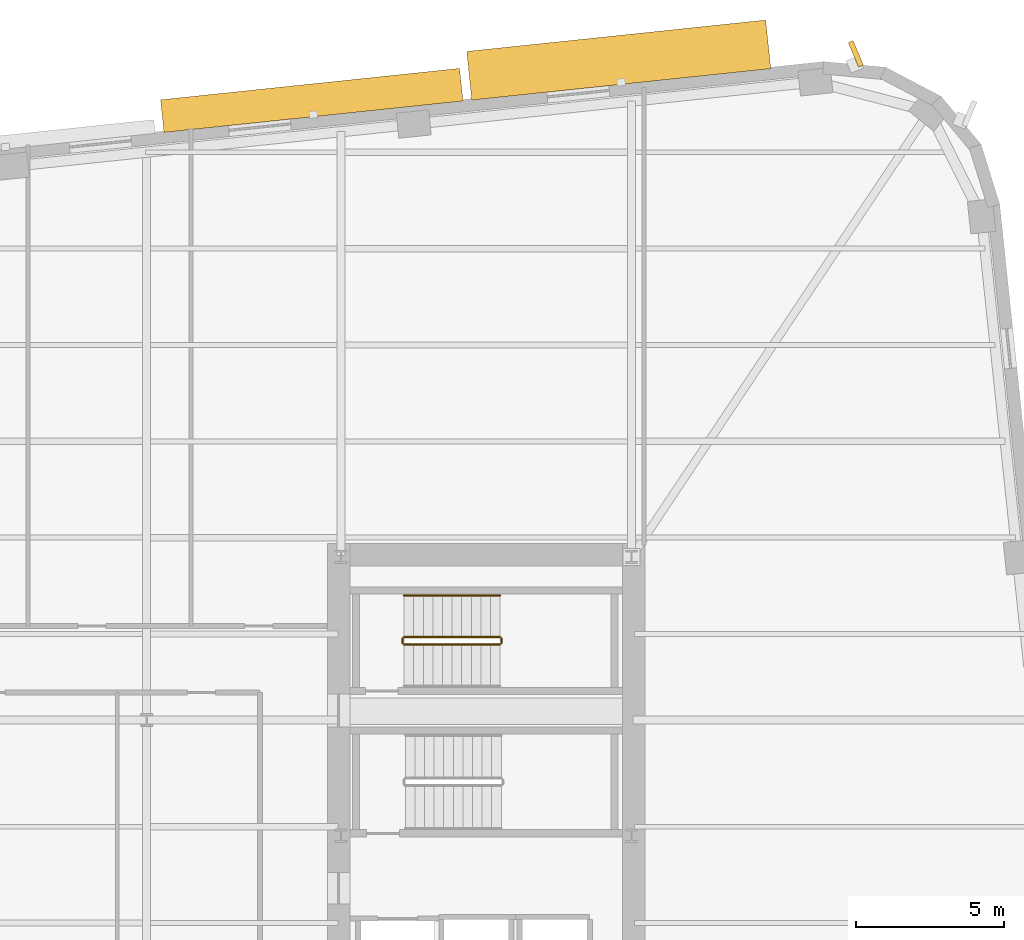
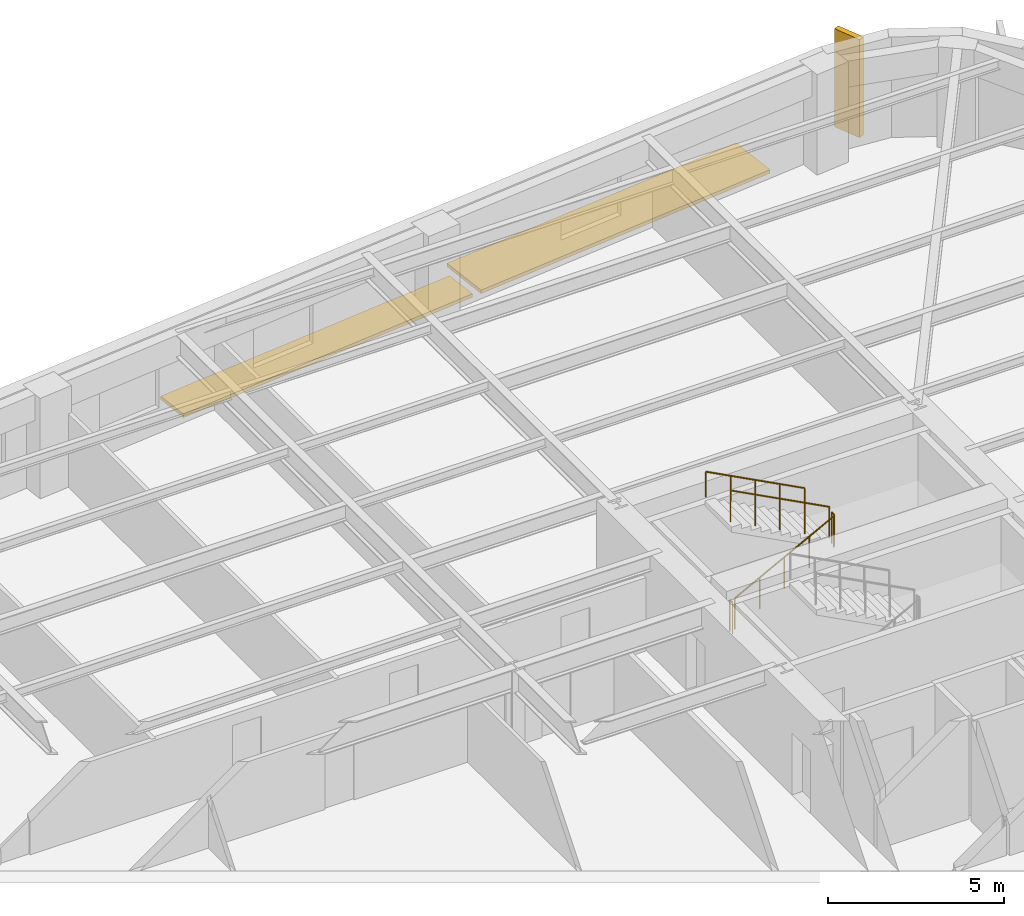
# One storey, part 14 of 15: 5 railings, 3 shading devices.
"""IFC4 building model written with IfcOpenShell, lengths in metres."""

import ifcopenshell
import ifcopenshell.guid

model = None  # the IFC model being written
_history = None  # IfcOwnerHistory: only IFC2X3 demands one
_inside = {}  # id of a spatial element -> (the spatial element, [elements in it])
_under = {}  # id of a project, library or spatial element -> (it, [spatial elements below it])
_declared = {}  # id of a project -> (the project, [libraries it declares])
_typed = {}  # id of a type object -> (the type object, [elements of that type])
_made_of = {}  # id of a material, layer set ... -> (it, [elements and type objects made of it])


def new_model(schema):
    """Start an empty IFC model of exactly this schema.

    Asked for "IFC4X3", IfcOpenShell would pick the latest addendum, in which some entities
    have other attributes; the version numbers below select the first issue.
    IFC2X3 requires an IfcOwnerHistory on every rooted entity: one is made here for all.
    """
    global model, _history
    if schema == "IFC4X3":
        model = ifcopenshell.file(schema_version=(4, 3, 0, 0))
    else:
        model = ifcopenshell.file(schema=schema)
    _inside.clear()
    _under.clear()
    _declared.clear()
    _typed.clear()
    _made_of.clear()
    _history = None
    if model.schema == "IFC2X3":
        org = make("IfcOrganization", Name="unknown")
        user = make(
            "IfcPersonAndOrganization",
            ThePerson=make("IfcPerson", FamilyName="unknown"),
            TheOrganization=org,
        )
        app = make(
            "IfcApplication",
            ApplicationDeveloper=org,
            Version="unknown",
            ApplicationFullName="unknown",
            ApplicationIdentifier="unknown",
        )
        _history = make(
            "IfcOwnerHistory",
            OwningUser=user,
            OwningApplication=app,
            ChangeAction="ADDED",
            CreationDate=0,
        )
    return model


def make(cls, **values):
    """One entity of the class cls with the attributes given. An attribute that is None is left unset."""
    return model.create_entity(
        cls, **{name: value for name, value in values.items() if value is not None}
    )


def rooted(cls, **values):
    """An entity with a GlobalId (a new one), such as an element, a storey or a relation."""
    return make(cls, GlobalId=ifcopenshell.guid.new(), OwnerHistory=_history, **values)


def si_unit(unit_type, name, prefix=None):
    """IfcSIUnit, for example si_unit("LENGTHUNIT", "METRE", prefix="MILLI")."""
    return make("IfcSIUnit", UnitType=unit_type, Prefix=prefix, Name=name)


def assignment(units):
    """IfcUnitAssignment: the units of a project."""
    return None if units is None else make("IfcUnitAssignment", Units=units)


def point(xyz):
    """IfcCartesianPoint."""
    return None if xyz is None else make("IfcCartesianPoint", Coordinates=xyz)


def direction(xyz):
    """IfcDirection."""
    return None if xyz is None else make("IfcDirection", DirectionRatios=xyz)


def frame(location, z_axis=None, x_axis=None):
    """IfcAxis2Placement3D, a coordinate frame: its origin and axes. An axis left out is left unset."""
    return make(
        "IfcAxis2Placement3D",
        Location=point(location),
        Axis=direction(z_axis),
        RefDirection=direction(x_axis),
    )


def frame_2d(location, x_axis=None):
    """IfcAxis2Placement2D, a coordinate frame in the plane: its origin and x axis."""
    return make(
        "IfcAxis2Placement2D", Location=point(location), RefDirection=direction(x_axis)
    )


def origin():
    """The frame at (0, 0, 0) with its axes left unset."""
    return frame((0.0, 0.0, 0.0))


def origin_2d():
    """The frame at (0, 0) in the plane with its x axis left unset."""
    return frame_2d((0.0, 0.0))


def place(relative_to, where):
    """IfcLocalPlacement: puts the frame where relative to a parent placement (None: the world)."""
    return make(
        "IfcLocalPlacement", PlacementRelTo=relative_to, RelativePlacement=where
    )


def context(
    kind, dimensions, precision=None, world=None, true_north=None, identifier=None
):
    """IfcGeometricRepresentationContext, for example the 3D "Model" context."""
    return make(
        "IfcGeometricRepresentationContext",
        ContextIdentifier=identifier,
        ContextType=kind,
        CoordinateSpaceDimension=dimensions,
        Precision=precision,
        WorldCoordinateSystem=world,
        TrueNorth=true_north,
    )


def subcontext(parent, identifier, kind, view, scale=None):
    """IfcGeometricRepresentationSubContext, for example "Body" below "Model"."""
    return make(
        "IfcGeometricRepresentationSubContext",
        ContextIdentifier=identifier,
        ContextType=kind,
        ParentContext=parent,
        TargetScale=scale,
        TargetView=view,
    )


def project(units=None, contexts=None):
    """IfcProject with its units and contexts."""
    return rooted(
        "IfcProject",
        Name="project",
        RepresentationContexts=contexts,
        UnitsInContext=assignment(units),
    )


def spatial(cls, under=None, at=None, **own):
    """A site, building, storey or space (cls), placed at a placement, below another one or the project."""
    s = rooted(cls, ObjectPlacement=at, **own)
    if under is not None:
        _under.setdefault(under.id(), (under, []))[1].append(s)
    return s


def profile(cls, at=None, kind="AREA", **sizes):
    """A parametric profile (cls). Its sizes go by their IFC names, for example OverallWidth=200.0."""
    return make(cls, ProfileType=kind, Position=at, **sizes)


def rectangle(**sizes):
    """IfcRectangleProfileDef."""
    return profile("IfcRectangleProfileDef", **sizes)


def circle(**sizes):
    """IfcCircleProfileDef."""
    return profile("IfcCircleProfileDef", **sizes)


def extrude(swept, where, along, depth):
    """IfcExtrudedAreaSolid: the profile swept, set in the frame where, extruded along a direction by depth."""
    return make(
        "IfcExtrudedAreaSolid",
        SweptArea=swept,
        Position=where,
        ExtrudedDirection=direction(along),
        Depth=depth,
    )


def shape(context_of_items, identifier, shape_type, items):
    """IfcShapeRepresentation: the items that make up one representation, for example the "Body"."""
    return make(
        "IfcShapeRepresentation",
        ContextOfItems=context_of_items,
        RepresentationIdentifier=identifier,
        RepresentationType=shape_type,
        Items=items,
    )


def material(Name=None, Category=None):
    """IfcMaterial."""
    return make("IfcMaterial", Name=Name, Category=Category)


def made_of(thing, what):
    """Note that an element or type object is made of a material, layer set ...; save() writes the relation."""
    if what is not None:
        _made_of.setdefault(what.id(), (what, []))[1].append(thing)
    return thing


def type_object(cls, material=None, **own):
    """A type object (cls), such as IfcWallType, which elements share."""
    return made_of(rooted(cls, **own), material)


def element(
    cls,
    number,
    at=None,
    inside=None,
    cuts=None,
    type_object=None,
    material=None,
    context=None,
    identifier="Body",
    shape_type=None,
    held_by="IfcProductDefinitionShape",
    body=None,
    shapes=None,
    **own,
):
    """One element of the class cls, such as IfcWall. Its Tag is "e" and its number.

    at: its placement. inside: the storey or other place that contains it. cuts: it is an
    opening in that element (IfcRelVoidsElement). A single representation is given by context,
    identifier, shape_type and body (its items); several are given by shapes. held_by: the class
    of the entity that holds the representations. save() writes the other relations.
    """
    e = rooted(cls, Tag="e%d" % number, ObjectPlacement=at, **own)
    if body is not None:
        shapes = [shape(context, identifier, shape_type, body)]
    if shapes is not None:
        e.Representation = make(held_by, Representations=shapes)
    if inside is not None:
        _inside.setdefault(inside.id(), (inside, []))[1].append(e)
    if cuts is not None:
        rooted(
            "IfcRelVoidsElement", RelatingBuildingElement=cuts, RelatedOpeningElement=e
        )
    if type_object is not None:
        _typed.setdefault(type_object.id(), (type_object, []))[1].append(e)
    return made_of(e, material)


def aggregate(whole, parts):
    """IfcRelAggregates: a whole, such as a stair, and the parts it consists of."""
    return rooted("IfcRelAggregates", RelatingObject=whole, RelatedObjects=parts)


def save(model, path):
    """Write the relations noted so far, then the file.

    IfcRelAggregates (storeys below a building ...), IfcRelContainedInSpatialStructure (elements
    in a storey), IfcRelDefinesByType, IfcRelAssociatesMaterial and IfcRelDeclares: one each for
    every whole, place, type object, material and project.
    """
    for whole, parts in _under.values():
        aggregate(whole, parts)
    for where, things in _inside.values():
        rooted(
            "IfcRelContainedInSpatialStructure",
            RelatedElements=things,
            RelatingStructure=where,
        )
    for kind, things in _typed.values():
        rooted("IfcRelDefinesByType", RelatedObjects=things, RelatingType=kind)
    for what, things in _made_of.values():
        rooted("IfcRelAssociatesMaterial", RelatedObjects=things, RelatingMaterial=what)
    for by, libraries in _declared.values():
        rooted("IfcRelDeclares", RelatingContext=by, RelatedDefinitions=libraries)
    model.write(path)


model = new_model("IFC4")

# Units and contexts
model_context = context("Model", 3, precision=1e-05, world=origin(), true_north=direction((0.0, 1.0)))
body_context = subcontext(model_context, "Body", "Model", "MODEL_VIEW")
ifc_project = project(units=[si_unit("LENGTHUNIT", "METRE"), si_unit("AREAUNIT", "SQUARE_METRE"), si_unit("VOLUMEUNIT", "CUBIC_METRE"), si_unit("PLANEANGLEUNIT", "RADIAN"), si_unit("MASSUNIT", "GRAM", prefix="KILO")], contexts=[model_context])

# Site, building, storey
site_placement = place(None, origin())
site = spatial("IfcSite", under=ifc_project, at=site_placement, CompositionType="ELEMENT")
building_placement = place(site_placement, origin())
building = spatial("IfcBuilding", under=site, at=building_placement, Name="Kolvaren Arena Tower", CompositionType="ELEMENT")
storey_placement = place(building_placement, frame((0.0, 0.0, 142.0)))
storey = spatial("IfcBuildingStorey", under=building, at=storey_placement, Name="L33", CompositionType="ELEMENT", Elevation=142.0)

# Railings
ifc_material_1 = material(Name="Painted galvanized steel", Category="steel")
railing_type_1 = type_object("IfcRailingType", Name="GUARD-ST-110", PredefinedType="GUARDRAIL", material=ifc_material_1)
railing_1_placement = place(storey_placement, frame((52.679931640625, 36.39990234375, 0.17041015625)))
element("IfcRailing", 1, at=railing_1_placement, inside=storey, type_object=railing_type_1, Name="L33 ST-E2 stair guard 1", PredefinedType="GUARDRAIL", context=body_context, shape_type="SweptSolid", body=[
    extrude(circle(Radius=0.02392578125, at=origin_2d()), frame((0.0, 0.0, 1.076171875), z_axis=(0.884993431791, 0.0, 0.465603506952), x_axis=(0.0, 1.0, 0.0)), (0.0, 0.0, 1.0), 3.6611328125),
    extrude(circle(Radius=0.02099609375, at=origin_2d()), origin(), (0.0, 0.0, 1.0), 1.052001953125),
    extrude(circle(Radius=0.02099609375, at=origin_2d()), frame((0.81005859375, 0.0, 0.42626953125)), (0.0, 0.0, 1.0), 1.052001953125),
    extrude(circle(Radius=0.02099609375, at=origin_2d()), frame((1.6201171875, 0.0, 0.852294921875)), (0.0, 0.0, 1.0), 1.052001953125),
    extrude(circle(Radius=0.02099609375, at=origin_2d()), frame((2.429931640625, 0.0, 1.2783203125)), (0.0, 0.0, 1.0), 1.052001953125),
    extrude(circle(Radius=0.02099609375, at=origin_2d()), frame((3.239990234375, 0.0, 1.70458984375)), (0.0, 0.0, 1.0), 1.052001953125),
])
railing_2_placement = place(storey_placement, frame((55.969970703125, 36.449951171875, 1.875)))
element("IfcRailing", 2, at=railing_2_placement, inside=storey, type_object=railing_type_1, Name="L33 ST-E2 stair guard 2", PredefinedType="GUARDRAIL", context=body_context, shape_type="SweptSolid", body=[
    extrude(circle(Radius=0.02392578125, at=origin_2d()), frame((0.0, 0.0, 1.076171875), z_axis=(0.0, 1.0, 0.0), x_axis=(-1.0, 0.0, 0.0)), (0.0, 0.0, 1.0), 0.150146484375),
    extrude(circle(Radius=0.02099609375, at=origin_2d()), origin(), (0.0, 0.0, 1.0), 1.052001953125),
    extrude(circle(Radius=0.02099609375, at=origin_2d()), frame((0.0, 0.150146484375, 0.0)), (0.0, 0.0, 1.0), 1.052001953125),
])
railing_3_placement = place(storey_placement, frame((55.919921875, 36.64990234375, 2.04541015625)))
element("IfcRailing", 3, at=railing_3_placement, inside=storey, type_object=railing_type_1, Name="L33 ST-E2 stair guard 3", PredefinedType="GUARDRAIL", context=body_context, shape_type="SweptSolid", body=[
    extrude(circle(Radius=0.02392578125, at=origin_2d()), frame((0.0, 0.0, 1.076171875), z_axis=(-0.884993431791, 0.0, 0.465603506952), x_axis=(0.0, -1.0, 0.0)), (0.0, 0.0, 1.0), 3.6611328125),
    extrude(circle(Radius=0.02099609375, at=origin_2d()), origin(), (0.0, 0.0, 1.0), 1.052001953125),
    extrude(circle(Radius=0.02099609375, at=origin_2d()), frame((-0.81005859375, 0.0, 0.42626953125)), (0.0, 0.0, 1.0), 1.052001953125),
    extrude(circle(Radius=0.02099609375, at=origin_2d()), frame((-1.6201171875, 0.0, 0.852294921875)), (0.0, 0.0, 1.0), 1.052001953125),
    extrude(circle(Radius=0.02099609375, at=origin_2d()), frame((-2.429931640625, 0.0, 1.2783203125)), (0.0, 0.0, 1.0), 1.052001953125),
    extrude(circle(Radius=0.02099609375, at=origin_2d()), frame((-3.239990234375, 0.0, 1.70458984375)), (0.0, 0.0, 1.0), 1.052001953125),
])
railing_4_placement = place(storey_placement, frame((52.6298828125, 36.449951171875, 0.0)))
element("IfcRailing", 4, at=railing_4_placement, inside=storey, type_object=railing_type_1, Name="L33 ST-E2 stair guard 4", PredefinedType="GUARDRAIL", context=body_context, shape_type="SweptSolid", body=[
    extrude(circle(Radius=0.02392578125, at=origin_2d()), frame((0.0, 0.0, 1.076171875), z_axis=(0.0, 1.0, 0.0), x_axis=(-1.0, 0.0, 0.0)), (0.0, 0.0, 1.0), 0.150146484375),
    extrude(circle(Radius=0.02099609375, at=origin_2d()), origin(), (0.0, 0.0, 1.0), 1.052001953125),
    extrude(circle(Radius=0.02099609375, at=origin_2d()), frame((0.0, 0.150146484375, 0.0)), (0.0, 0.0, 1.0), 1.052001953125),
])
ifc_material_2 = material(Name="Brushed stainless steel handrail", Category="steel")
railing_type_2 = type_object("IfcRailingType", Name="HRAIL-900", PredefinedType="HANDRAIL", material=ifc_material_2)
railing_5_placement = place(storey_placement, frame((55.919921875, 38.050048828125, 2.04541015625)))
element("IfcRailing", 5, at=railing_5_placement, inside=storey, type_object=railing_type_2, Name="L33 ST-E2 stair handrail 2", PredefinedType="HANDRAIL", context=body_context, shape_type="SweptSolid", body=[
    extrude(circle(Radius=0.02392578125, at=origin_2d()), frame((0.0, 0.0, 0.8759765625), z_axis=(-0.884993431791, 0.0, 0.465603506952), x_axis=(0.0, -1.0, 0.0)), (0.0, 0.0, 1.0), 3.6611328125),
    extrude(circle(Radius=0.02099609375, at=origin_2d()), origin(), (0.0, 0.0, 1.0), 0.851806640625),
    extrude(circle(Radius=0.02099609375, at=origin_2d()), frame((-0.81005859375, 0.0, 0.42626953125)), (0.0, 0.0, 1.0), 0.851806640625),
    extrude(circle(Radius=0.02099609375, at=origin_2d()), frame((-1.6201171875, 0.0, 0.852294921875)), (0.0, 0.0, 1.0), 0.851806640625),
    extrude(circle(Radius=0.02099609375, at=origin_2d()), frame((-2.429931640625, 0.0, 1.2783203125)), (0.0, 0.0, 1.0), 0.851806640625),
    extrude(circle(Radius=0.02099609375, at=origin_2d()), frame((-3.239990234375, 0.0, 1.70458984375)), (0.0, 0.0, 1.0), 0.851806640625),
])

# Shading devices
ifc_material_3 = material(Name="Precast architectural concrete C50/60 rib fin", Category="concrete")
shading_device_type_1 = type_object("IfcShadingDeviceType", Name="SHAD-FIN-28", PredefinedType="USERDEFINED", material=ifc_material_3)
shading_device_1_placement = place(storey_placement, frame((67.916259765625, 56.320556640625, 0.02001953125), z_axis=(0.0, 0.0, 1.0), x_axis=(-0.386706132999, 0.922202996472, 0.0)))
element("IfcShadingDevice", 6, at=shading_device_1_placement, inside=storey, type_object=shading_device_type_1, Name="Precast 28-Deg Corner Rib Fin (L33)", ObjectType="FIN", PredefinedType="USERDEFINED", context=body_context, shape_type="SweptSolid", body=[
    extrude(rectangle(XDim=0.89990234375, YDim=0.179931640625, at=origin_2d()), origin(), (0.0, 0.0, 1.0), 3.39990234375),
])
ifc_material_4 = material(Name="Architectural precast GFRC and anodised aluminium sunshade", Category="concrete")
shading_device_type_2 = type_object("IfcShadingDeviceType", Name="SHAD-SINE-A", PredefinedType="USERDEFINED", material=ifc_material_4)
shading_device_2_placement = place(storey_placement, frame((49.56640625, 54.74951171875, -0.14013671875), z_axis=(0.0, 0.0, 1.0), x_axis=(0.994522077803, 0.104526727499, 0.0)))
element("IfcShadingDevice", 7, at=shading_device_2_placement, inside=storey, type_object=shading_device_type_2, Name="Sinusoidal Slab-Edge Sunshade Louvre (L33)", ObjectType="LOUVRE", PredefinedType="USERDEFINED", context=body_context, shape_type="SweptSolid", body=[
    extrude(rectangle(XDim=10.139892578125, YDim=1.106201171875, at=origin_2d()), origin(), (0.0, 0.0, 1.0), 0.1201171875),
])
shading_device_type_3 = type_object("IfcShadingDeviceType", Name="SHAD-SINE-B", PredefinedType="JALOUSIE", material=ifc_material_4)
shading_device_3_placement = place(storey_placement, frame((59.9208984375, 56.11083984375, -0.14013671875), z_axis=(0.0, 0.0, 1.0), x_axis=(0.994522077803, 0.104526727499, 0.0)))
element("IfcShadingDevice", 8, at=shading_device_3_placement, inside=storey, type_object=shading_device_type_3, Name="Sinusoidal Slab-Edge Sunshade Louvre (L33)", PredefinedType="JALOUSIE", context=body_context, shape_type="SweptSolid", body=[
    extrude(rectangle(XDim=10.139892578125, YDim=1.649658203125, at=origin_2d()), origin(), (0.0, 0.0, 1.0), 0.1201171875),
])

save(model, "model.ifc")
